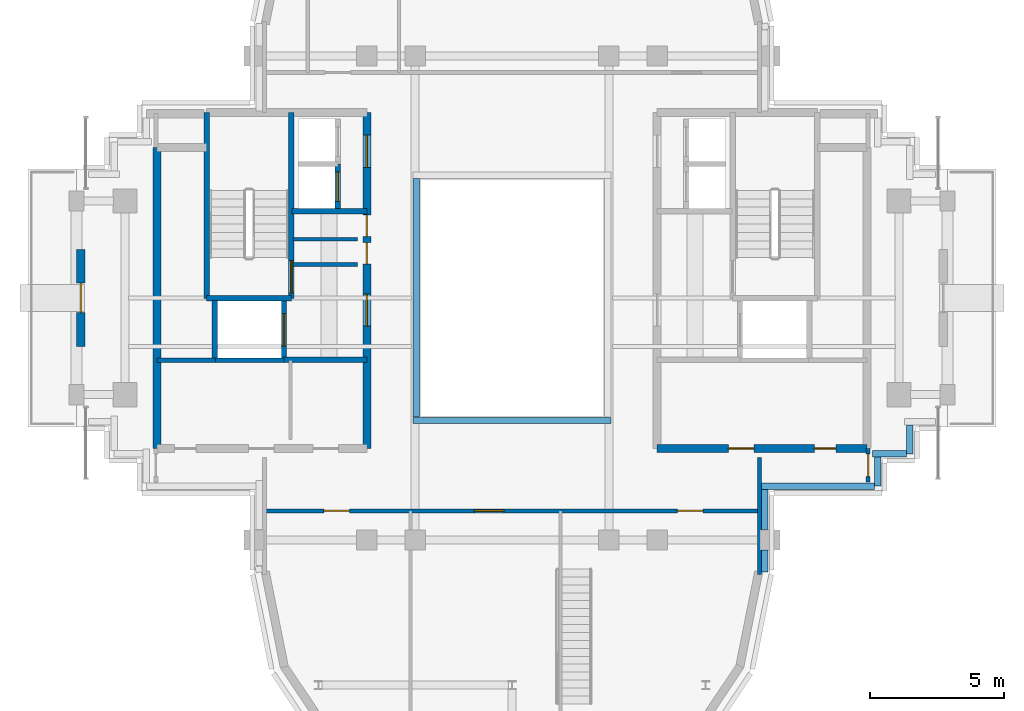
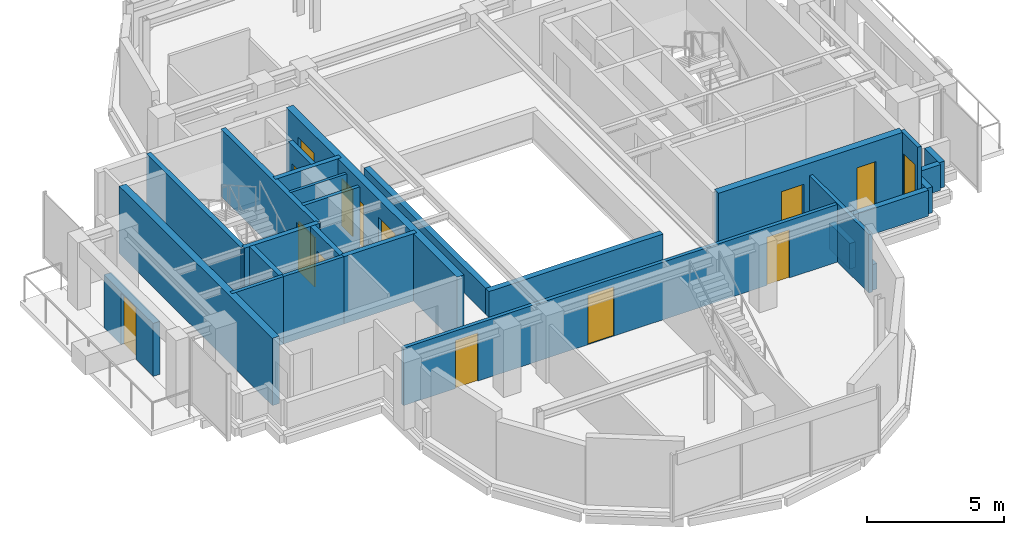
# One storey, part 7 of 12: 27 walls, 14 doors, 14 openings.
"""IFC4 building model written with IfcOpenShell, lengths in metres."""

import ifcopenshell
import ifcopenshell.guid

model = None  # the IFC model being written
_history = None  # IfcOwnerHistory: only IFC2X3 demands one
_inside = {}  # id of a spatial element -> (the spatial element, [elements in it])
_under = {}  # id of a project, library or spatial element -> (it, [spatial elements below it])
_declared = {}  # id of a project -> (the project, [libraries it declares])
_typed = {}  # id of a type object -> (the type object, [elements of that type])
_made_of = {}  # id of a material, layer set ... -> (it, [elements and type objects made of it])


def new_model(schema):
    """Start an empty IFC model of exactly this schema.

    Asked for "IFC4X3", IfcOpenShell would pick the latest addendum, in which some entities
    have other attributes; the version numbers below select the first issue.
    IFC2X3 requires an IfcOwnerHistory on every rooted entity: one is made here for all.
    """
    global model, _history
    if schema == "IFC4X3":
        model = ifcopenshell.file(schema_version=(4, 3, 0, 0))
    else:
        model = ifcopenshell.file(schema=schema)
    _inside.clear()
    _under.clear()
    _declared.clear()
    _typed.clear()
    _made_of.clear()
    _history = None
    if model.schema == "IFC2X3":
        org = make("IfcOrganization", Name="unknown")
        user = make(
            "IfcPersonAndOrganization",
            ThePerson=make("IfcPerson", FamilyName="unknown"),
            TheOrganization=org,
        )
        app = make(
            "IfcApplication",
            ApplicationDeveloper=org,
            Version="unknown",
            ApplicationFullName="unknown",
            ApplicationIdentifier="unknown",
        )
        _history = make(
            "IfcOwnerHistory",
            OwningUser=user,
            OwningApplication=app,
            ChangeAction="ADDED",
            CreationDate=0,
        )
    return model


def make(cls, **values):
    """One entity of the class cls with the attributes given. An attribute that is None is left unset."""
    return model.create_entity(
        cls, **{name: value for name, value in values.items() if value is not None}
    )


def rooted(cls, **values):
    """An entity with a GlobalId (a new one), such as an element, a storey or a relation."""
    return make(cls, GlobalId=ifcopenshell.guid.new(), OwnerHistory=_history, **values)


def si_unit(unit_type, name, prefix=None):
    """IfcSIUnit, for example si_unit("LENGTHUNIT", "METRE", prefix="MILLI")."""
    return make("IfcSIUnit", UnitType=unit_type, Prefix=prefix, Name=name)


def assignment(units):
    """IfcUnitAssignment: the units of a project."""
    return None if units is None else make("IfcUnitAssignment", Units=units)


def point(xyz):
    """IfcCartesianPoint."""
    return None if xyz is None else make("IfcCartesianPoint", Coordinates=xyz)


def direction(xyz):
    """IfcDirection."""
    return None if xyz is None else make("IfcDirection", DirectionRatios=xyz)


def frame(location, z_axis=None, x_axis=None):
    """IfcAxis2Placement3D, a coordinate frame: its origin and axes. An axis left out is left unset."""
    return make(
        "IfcAxis2Placement3D",
        Location=point(location),
        Axis=direction(z_axis),
        RefDirection=direction(x_axis),
    )


def frame_2d(location, x_axis=None):
    """IfcAxis2Placement2D, a coordinate frame in the plane: its origin and x axis."""
    return make(
        "IfcAxis2Placement2D", Location=point(location), RefDirection=direction(x_axis)
    )


def origin():
    """The frame at (0, 0, 0) with its axes left unset."""
    return frame((0.0, 0.0, 0.0))


def place(relative_to, where):
    """IfcLocalPlacement: puts the frame where relative to a parent placement (None: the world)."""
    return make(
        "IfcLocalPlacement", PlacementRelTo=relative_to, RelativePlacement=where
    )


def context(
    kind, dimensions, precision=None, world=None, true_north=None, identifier=None
):
    """IfcGeometricRepresentationContext, for example the 3D "Model" context."""
    return make(
        "IfcGeometricRepresentationContext",
        ContextIdentifier=identifier,
        ContextType=kind,
        CoordinateSpaceDimension=dimensions,
        Precision=precision,
        WorldCoordinateSystem=world,
        TrueNorth=true_north,
    )


def subcontext(parent, identifier, kind, view, scale=None):
    """IfcGeometricRepresentationSubContext, for example "Body" below "Model"."""
    return make(
        "IfcGeometricRepresentationSubContext",
        ContextIdentifier=identifier,
        ContextType=kind,
        ParentContext=parent,
        TargetScale=scale,
        TargetView=view,
    )


def project(units=None, contexts=None):
    """IfcProject with its units and contexts."""
    return rooted(
        "IfcProject",
        Name="project",
        RepresentationContexts=contexts,
        UnitsInContext=assignment(units),
    )


def spatial(cls, under=None, at=None, **own):
    """A site, building, storey or space (cls), placed at a placement, below another one or the project."""
    s = rooted(cls, ObjectPlacement=at, **own)
    if under is not None:
        _under.setdefault(under.id(), (under, []))[1].append(s)
    return s


def profile(cls, at=None, kind="AREA", **sizes):
    """A parametric profile (cls). Its sizes go by their IFC names, for example OverallWidth=200.0."""
    return make(cls, ProfileType=kind, Position=at, **sizes)


def rectangle(**sizes):
    """IfcRectangleProfileDef."""
    return profile("IfcRectangleProfileDef", **sizes)


def extrude(swept, where, along, depth):
    """IfcExtrudedAreaSolid: the profile swept, set in the frame where, extruded along a direction by depth."""
    return make(
        "IfcExtrudedAreaSolid",
        SweptArea=swept,
        Position=where,
        ExtrudedDirection=direction(along),
        Depth=depth,
    )


def shape(context_of_items, identifier, shape_type, items):
    """IfcShapeRepresentation: the items that make up one representation, for example the "Body"."""
    return make(
        "IfcShapeRepresentation",
        ContextOfItems=context_of_items,
        RepresentationIdentifier=identifier,
        RepresentationType=shape_type,
        Items=items,
    )


def source(mapping_origin, context_of_items, identifier, shape_type, items):
    """IfcRepresentationMap: a shape defined once, which mapped items show again and again."""
    return make(
        "IfcRepresentationMap",
        MappingOrigin=mapping_origin,
        MappedRepresentation=shape(context_of_items, identifier, shape_type, items),
    )


def transform(
    local_origin,
    x_axis=None,
    y_axis=None,
    z_axis=None,
    scale=None,
    scale2=None,
    scale3=None,
    uniform=True,
):
    """IfcCartesianTransformationOperator3D, or its non-uniform kind. x_axis, y_axis, z_axis: its Axis1, 2, 3."""
    if uniform:
        return make(
            "IfcCartesianTransformationOperator3D",
            Axis1=direction(x_axis),
            Axis2=direction(y_axis),
            LocalOrigin=point(local_origin),
            Scale=scale,
            Axis3=direction(z_axis),
        )
    return make(
        "IfcCartesianTransformationOperator3DnonUniform",
        Axis1=direction(x_axis),
        Axis2=direction(y_axis),
        LocalOrigin=point(local_origin),
        Scale=scale,
        Axis3=direction(z_axis),
        Scale2=scale2,
        Scale3=scale3,
    )


def mapped(mapping_source, mapping_target):
    """IfcMappedItem: shows the shape of a source again, moved by a transform."""
    return make(
        "IfcMappedItem", MappingSource=mapping_source, MappingTarget=mapping_target
    )


def material(Name=None, Category=None):
    """IfcMaterial."""
    return make("IfcMaterial", Name=Name, Category=Category)


def layer(
    of_material, thickness, ventilated=None, Name=None, Category=None, Priority=None
):
    """IfcMaterialLayer: one layer of a wall or slab, of a material (None: an air gap)."""
    return make(
        "IfcMaterialLayer",
        Material=of_material,
        LayerThickness=thickness,
        IsVentilated=ventilated,
        Name=Name,
        Category=Category,
        Priority=Priority,
    )


def layer_set(layers, Name=None):
    """IfcMaterialLayerSet."""
    return make("IfcMaterialLayerSet", MaterialLayers=layers, LayerSetName=Name)


def made_of(thing, what):
    """Note that an element or type object is made of a material, layer set ...; save() writes the relation."""
    if what is not None:
        _made_of.setdefault(what.id(), (what, []))[1].append(thing)
    return thing


def type_object(cls, material=None, **own):
    """A type object (cls), such as IfcWallType, which elements share."""
    return made_of(rooted(cls, **own), material)


def element(
    cls,
    number,
    at=None,
    inside=None,
    cuts=None,
    type_object=None,
    material=None,
    context=None,
    identifier="Body",
    shape_type=None,
    held_by="IfcProductDefinitionShape",
    body=None,
    shapes=None,
    **own,
):
    """One element of the class cls, such as IfcWall. Its Tag is "e" and its number.

    at: its placement. inside: the storey or other place that contains it. cuts: it is an
    opening in that element (IfcRelVoidsElement). A single representation is given by context,
    identifier, shape_type and body (its items); several are given by shapes. held_by: the class
    of the entity that holds the representations. save() writes the other relations.
    """
    e = rooted(cls, Tag="e%d" % number, ObjectPlacement=at, **own)
    if body is not None:
        shapes = [shape(context, identifier, shape_type, body)]
    if shapes is not None:
        e.Representation = make(held_by, Representations=shapes)
    if inside is not None:
        _inside.setdefault(inside.id(), (inside, []))[1].append(e)
    if cuts is not None:
        rooted(
            "IfcRelVoidsElement", RelatingBuildingElement=cuts, RelatedOpeningElement=e
        )
    if type_object is not None:
        _typed.setdefault(type_object.id(), (type_object, []))[1].append(e)
    return made_of(e, material)


def fill(opening, filler):
    """IfcRelFillsElement: the door or window that sits in an opening."""
    return rooted(
        "IfcRelFillsElement",
        RelatingOpeningElement=opening,
        RelatedBuildingElement=filler,
    )


def aggregate(whole, parts):
    """IfcRelAggregates: a whole, such as a stair, and the parts it consists of."""
    return rooted("IfcRelAggregates", RelatingObject=whole, RelatedObjects=parts)


def save(model, path):
    """Write the relations noted so far, then the file.

    IfcRelAggregates (storeys below a building ...), IfcRelContainedInSpatialStructure (elements
    in a storey), IfcRelDefinesByType, IfcRelAssociatesMaterial and IfcRelDeclares: one each for
    every whole, place, type object, material and project.
    """
    for whole, parts in _under.values():
        aggregate(whole, parts)
    for where, things in _inside.values():
        rooted(
            "IfcRelContainedInSpatialStructure",
            RelatedElements=things,
            RelatingStructure=where,
        )
    for kind, things in _typed.values():
        rooted("IfcRelDefinesByType", RelatedObjects=things, RelatingType=kind)
    for what, things in _made_of.values():
        rooted("IfcRelAssociatesMaterial", RelatedObjects=things, RelatingMaterial=what)
    for by, libraries in _declared.values():
        rooted("IfcRelDeclares", RelatingContext=by, RelatedDefinitions=libraries)
    model.write(path)


model = new_model("IFC4")

# Units and contexts
model_context = context("Model", 3, precision=1e-05, world=origin(), true_north=direction((0.0, 1.0)))
body_context = subcontext(model_context, "Body", "Model", "MODEL_VIEW")
ifc_project = project(units=[si_unit("LENGTHUNIT", "METRE"), si_unit("AREAUNIT", "SQUARE_METRE"), si_unit("VOLUMEUNIT", "CUBIC_METRE"), si_unit("PLANEANGLEUNIT", "RADIAN"), si_unit("MASSUNIT", "GRAM", prefix="KILO")], contexts=[model_context])

# Site, building, storey
site_placement = place(None, origin())
site = spatial("IfcSite", under=ifc_project, at=site_placement, CompositionType="ELEMENT")
building_placement = place(site_placement, origin())
building = spatial("IfcBuilding", under=site, at=building_placement, Name="Keilestroom Media Tower", CompositionType="ELEMENT")
storey_placement = place(building_placement, frame((0.0, 0.0, 252.39990234375)))
storey = spatial("IfcBuildingStorey", under=building, at=storey_placement, Name="L70", CompositionType="ELEMENT", Elevation=252.39990234375)

# Wall, opening, door
ifc_material_1 = material(Name="Precast concrete C40/50", Category="concrete")
ifc_layer_1 = layer(ifc_material_1, 0.300048828125)
ifc_layer_set_1 = layer_set([ifc_layer_1], Name="Precast concrete C40/50")
wall_type_1 = type_object("IfcWallType", Name="Exterior-Masonry-Spandrel-Wall-300", PredefinedType="SOLIDWALL", material=ifc_layer_set_1)
wall_1_placement = place(storey_placement, frame((-16.0400390625, -1.800048828125, 0.0), z_axis=(0.0, 0.0, 1.0), x_axis=(0.0, 1.0, 0.0)))
wall_1 = element("IfcWall", 1, at=wall_1_placement, inside=storey, type_object=wall_type_1, Name="L70 Terrace Threshold Wall CUP70-W", PredefinedType="SOLIDWALL", context=body_context, shape_type="SweptSolid", body=[
    extrude(rectangle(XDim=3.60009765625, YDim=0.300048828125, at=frame_2d((1.800048828125, 0.0))), origin(), (0.0, 0.0, 1.0), 2.360107421875),
])
opening_1_placement = place(wall_1_placement, frame((1.25, 0.0, 0.0)))
opening_1 = element("IfcOpeningElement", 2, at=opening_1_placement, cuts=wall_1, Name="Opening DE-02", PredefinedType="OPENING", context=body_context, shape_type="SweptSolid", body=[
    extrude(rectangle(XDim=1.10009765625, YDim=2.300048828125, at=frame_2d((0.550048828125, 1.14990234375))), frame((0.0, 0.16015625, 0.0), z_axis=(0.0, -1.0, 0.0), x_axis=(1.0, 0.0, 0.0)), (0.0, 0.0, 1.0), 0.320068359375),
])
ifc_material_2 = material(Name="Thermally Broken Aluminium & Laminated Glass", Category="aluminium")
door_type_1 = type_object("IfcDoorType", Name="Exterior-Entrance-And-Terrace-Door-DE-02", OperationType="NOTDEFINED", PredefinedType="DOOR", material=ifc_material_2)
shared_shape_1 = source(origin(), body_context, "Body", "SweptSolid", [
    extrude(rectangle(XDim=1.10009765625, YDim=2.300048828125, at=frame_2d((0.550048828125, 1.14990234375))), frame((0.0, 0.02490234375, 0.0), z_axis=(0.0, -1.0, 0.0), x_axis=(1.0, 0.0, 0.0)), (0.0, 0.0, 1.0), 0.050048828125),
])
door_1_placement = place(opening_1_placement, origin())
door_1 = element("IfcDoor", 3, at=door_1_placement, inside=storey, type_object=door_type_1, Name="L70 Terrace Access Door DE-02 CUP70-W", OperationType="SINGLE_SWING_LEFT", OverallHeight=2.300048828125, OverallWidth=1.10009765625, PredefinedType="DOOR", context=body_context, shape_type="MappedRepresentation", body=[
    mapped(shared_shape_1, transform((0.0, 0.0, 0.0), x_axis=(1.0, 0.0, 0.0), y_axis=(0.0, 1.0, 0.0), z_axis=(0.0, 0.0, 1.0), scale=1.0)),
])
fill(opening_1, door_1)

# Walls
ifc_material_3 = material(Name="Gypsum Plasterboard & Steel Stud", Category="steel")
ifc_layer_2 = layer(ifc_material_3, 0.1201171875)
ifc_layer_set_2 = layer_set([ifc_layer_2], Name="Gypsum Plasterboard & Steel Stud")
wall_type_2 = type_object("IfcWallType", Name="Interior-Partition-Wall-120", PredefinedType="PARTITIONING", material=ifc_layer_set_2)
wall_2_placement = place(storey_placement, frame((-8.139892578125, 2.179931640625, 0.0), z_axis=(0.0, 0.0, 1.0), x_axis=(1.0, 0.0, 0.0)))
element("IfcWall", 4, at=wall_2_placement, inside=storey, type_object=wall_type_2, Name="L70 Interior Wall WP-L70-CNW-N", PredefinedType="PARTITIONING", context=body_context, shape_type="SweptSolid", body=[
    extrude(rectangle(XDim=2.389892578125, YDim=0.1201171875, at=frame_2d((1.19482421875, 0.0))), origin(), (0.0, 0.0, 1.0), 3.010009765625),
])
ifc_layer_3 = layer(ifc_material_3, 0.14990234375)
ifc_layer_set_3 = layer_set([ifc_layer_3], Name="Gypsum Plasterboard & Steel Stud")
wall_type_3 = type_object("IfcWallType", Name="Interior-Partition-Wall-150", PredefinedType="PARTITIONING", material=ifc_layer_set_3)
wall_3_placement = place(storey_placement, frame((-8.139892578125, 1.239990234375, 0.0), z_axis=(0.0, 0.0, 1.0), x_axis=(1.0, 0.0, 0.0)))
element("IfcWall", 5, at=wall_3_placement, inside=storey, type_object=wall_type_3, Name="L70 Interior Wall WP-L70-FFW-TOP", PredefinedType="PARTITIONING", context=body_context, shape_type="SweptSolid", body=[
    extrude(rectangle(XDim=2.389892578125, YDim=0.14990234375, at=frame_2d((1.19482421875, 0.0))), origin(), (0.0, 0.0, 1.0), 3.010009765625),
])
wall_4_placement = place(storey_placement, frame((-13.199951171875, -2.320068359375, 0.0), z_axis=(0.0, 0.0, 1.0), x_axis=(1.0, 0.0, 0.0)))
element("IfcWall", 6, at=wall_4_placement, inside=storey, type_object=wall_type_3, Name="L70 Interior Wall WP-L70-RECLW-N", PredefinedType="PARTITIONING", context=body_context, shape_type="SweptSolid", body=[
    extrude(rectangle(XDim=2.179931640625, YDim=0.14990234375, at=frame_2d((1.08984375, 0.0))), origin(), (0.0, 0.0, 1.0), 3.010009765625),
])
wall_5_placement = place(storey_placement, frame((-11.0400390625, -2.320068359375, 0.0), z_axis=(0.0, 0.0, 1.0), x_axis=(1.0, 0.0, 0.0)))
element("IfcWall", 7, at=wall_5_placement, inside=storey, type_object=wall_type_3, Name="L70 Interior Wall WP-L70-RECMW-N", PredefinedType="PARTITIONING", context=body_context, shape_type="SweptSolid", body=[
    extrude(rectangle(XDim=2.56005859375, YDim=0.14990234375, at=frame_2d((1.280029296875, 0.0))), origin(), (0.0, 0.0, 1.0), 3.010009765625),
])

# Wall, openings, doors
wall_6_placement = place(storey_placement, frame((-9.199951171875, -7.919921875, 0.0), z_axis=(0.0, 0.0, 1.0), x_axis=(1.0, 0.0, 0.0)))
wall_6 = element("IfcWall", 8, at=wall_6_placement, inside=storey, type_object=wall_type_3, Name="L70 Interior Wall WP-L70-SL-BASE", PredefinedType="PARTITIONING", context=body_context, shape_type="SweptSolid", body=[
    extrude(rectangle(XDim=18.39990234375, YDim=0.14990234375, at=frame_2d((9.199951171875, 0.0))), origin(), (0.0, 0.0, 1.0), 2.570068359375),
])
opening_2_placement = place(wall_6_placement, frame((2.199951171875, 0.0, 0.0)))
opening_2 = element("IfcOpeningElement", 9, at=opening_2_placement, cuts=wall_6, Name="Opening DI-03", PredefinedType="OPENING", context=body_context, shape_type="SweptSolid", body=[
    extrude(rectangle(XDim=0.949951171875, YDim=2.14990234375, at=frame_2d((0.47509765625, 1.074951171875))), frame((0.0, 0.0849609375, 0.0), z_axis=(0.0, -1.0, 0.0), x_axis=(1.0, 0.0, 0.0)), (0.0, 0.0, 1.0), 0.169921875),
])
opening_3_placement = place(wall_6_placement, frame((7.800048828125, 0.0, 0.0)))
opening_3 = element("IfcOpeningElement", 10, at=opening_3_placement, cuts=wall_6, Name="Opening DI-04", PredefinedType="OPENING", context=body_context, shape_type="SweptSolid", body=[
    extrude(rectangle(XDim=1.10009765625, YDim=2.199951171875, at=frame_2d((0.550048828125, 1.10009765625))), frame((0.0, 0.0849609375, 0.0), z_axis=(0.0, -1.0, 0.0), x_axis=(1.0, 0.0, 0.0)), (0.0, 0.0, 1.0), 0.169921875),
])
opening_4_placement = place(wall_6_placement, frame((15.35009765625, 0.0, 0.0)))
opening_4 = element("IfcOpeningElement", 11, at=opening_4_placement, cuts=wall_6, Name="Opening DI-03", PredefinedType="OPENING", context=body_context, shape_type="SweptSolid", body=[
    extrude(rectangle(XDim=0.949951171875, YDim=2.14990234375, at=frame_2d((0.47509765625, 1.074951171875))), frame((0.0, 0.0849609375, 0.0), z_axis=(0.0, -1.0, 0.0), x_axis=(1.0, 0.0, 0.0)), (0.0, 0.0, 1.0), 0.169921875),
])
ifc_material_4 = material(Name="Lacquered European Oak Leaf", Category="wood")
door_type_2 = type_object("IfcDoorType", Name="Interior-Room-And-Suite-Door-DI-03", OperationType="NOTDEFINED", PredefinedType="DOOR", material=ifc_material_4)
shared_shape_2 = source(origin(), body_context, "Body", "SweptSolid", [
    extrude(rectangle(XDim=0.949951171875, YDim=2.14990234375, at=frame_2d((0.47509765625, 1.074951171875))), frame((0.0, 0.02490234375, 0.0), z_axis=(0.0, -1.0, 0.0), x_axis=(1.0, 0.0, 0.0)), (0.0, 0.0, 1.0), 0.050048828125),
])
door_2_placement = place(opening_2_placement, origin())
door_2 = element("IfcDoor", 12, at=door_2_placement, inside=storey, type_object=door_type_2, Name="L70 Interior Door DI-L70-DSL-1", OperationType="SINGLE_SWING_LEFT", OverallHeight=2.14990234375, OverallWidth=0.949951171875, PredefinedType="DOOR", context=body_context, shape_type="MappedRepresentation", body=[
    mapped(shared_shape_2, transform((0.0, 0.0, 0.0), x_axis=(1.0, 0.0, 0.0), y_axis=(0.0, 1.0, 0.0), z_axis=(0.0, 0.0, 1.0), scale=1.0)),
])
fill(opening_2, door_2)
door_3_placement = place(opening_4_placement, origin())
door_3 = element("IfcDoor", 13, at=door_3_placement, inside=storey, type_object=door_type_2, Name="L70 Interior Door DI-L70-DSL-3", OperationType="SINGLE_SWING_LEFT", OverallHeight=2.14990234375, OverallWidth=0.949951171875, PredefinedType="DOOR", context=body_context, shape_type="MappedRepresentation", body=[
    mapped(shared_shape_2, transform((0.0, 0.0, 0.0), x_axis=(1.0, 0.0, 0.0), y_axis=(0.0, 1.0, 0.0), z_axis=(0.0, 0.0, 1.0), scale=1.0)),
])
fill(opening_4, door_3)
ifc_material_5 = material(Name="Acoustic Glazed Aluminium Leaf", Category="aluminium")
door_type_3 = type_object("IfcDoorType", Name="Interior-Room-And-Suite-Door-DI-04", OperationType="NOTDEFINED", PredefinedType="DOOR", material=ifc_material_5)
shared_shape_3 = source(origin(), body_context, "Body", "SweptSolid", [
    extrude(rectangle(XDim=1.10009765625, YDim=2.199951171875, at=frame_2d((0.550048828125, 1.10009765625))), frame((0.0, 0.02490234375, 0.0), z_axis=(0.0, -1.0, 0.0), x_axis=(1.0, 0.0, 0.0)), (0.0, 0.0, 1.0), 0.050048828125),
])
door_4_placement = place(opening_3_placement, origin())
door_4 = element("IfcDoor", 14, at=door_4_placement, inside=storey, type_object=door_type_3, Name="L70 Interior Door DI-L70-DSL-2", OperationType="SINGLE_SWING_RIGHT", OverallHeight=2.199951171875, OverallWidth=1.10009765625, PredefinedType="DOOR", context=body_context, shape_type="MappedRepresentation", body=[
    mapped(shared_shape_3, transform((0.0, 0.0, 0.0), x_axis=(1.0, 0.0, 0.0), y_axis=(0.0, 1.0, 0.0), z_axis=(0.0, 0.0, 1.0), scale=1.0)),
])
fill(opening_3, door_4)

# Wall
wall_7_placement = place(storey_placement, frame((9.199951171875, -10.280029296875, 0.0), z_axis=(0.0, 0.0, 1.0), x_axis=(0.0, 1.0, 0.0)))
element("IfcWall", 15, at=wall_7_placement, inside=storey, type_object=wall_type_3, Name="L70 Interior Wall WP-L70-SL-CHKE", PredefinedType="PARTITIONING", context=body_context, shape_type="SweptSolid", body=[
    extrude(rectangle(XDim=4.340087890625, YDim=0.14990234375, at=frame_2d((2.169921875, 0.0))), origin(), (0.0, 0.0, 1.0), 2.610107421875),
])

# Wall, opening, door
wall_8_placement = place(storey_placement, frame((13.25, -6.85009765625, 0.0), z_axis=(0.0, 0.0, 1.0), x_axis=(0.0, 1.0, 0.0)))
wall_8 = element("IfcWall", 16, at=wall_8_placement, inside=storey, type_object=wall_type_3, Name="L70 Interior Wall WP-L70-EA-ENTS", PredefinedType="PARTITIONING", context=body_context, shape_type="SweptSolid", body=[
    extrude(rectangle(XDim=1.25, YDim=0.14990234375, at=frame_2d((0.625, 0.0))), origin(), (0.0, 0.0, 1.0), 3.010009765625),
])
opening_5_placement = place(wall_8_placement, frame((0.199951171875, 0.0, 0.0)))
opening_5 = element("IfcOpeningElement", 17, at=opening_5_placement, cuts=wall_8, Name="Opening DI-05", PredefinedType="OPENING", context=body_context, shape_type="SweptSolid", body=[
    extrude(rectangle(XDim=0.85009765625, YDim=2.10009765625, at=frame_2d((0.425048828125, 1.050048828125))), frame((0.0, 0.0849609375, 0.0), z_axis=(0.0, -1.0, 0.0), x_axis=(1.0, 0.0, 0.0)), (0.0, 0.0, 1.0), 0.169921875),
])
ifc_material_6 = material(Name="Moisture-Resistant Oak Leaf", Category="wood")
door_type_4 = type_object("IfcDoorType", Name="Interior-En-Suite-And-Cupboard-Door-DI-05", OperationType="NOTDEFINED", PredefinedType="DOOR", material=ifc_material_6)
shared_shape_4 = source(origin(), body_context, "Body", "SweptSolid", [
    extrude(rectangle(XDim=0.85009765625, YDim=2.10009765625, at=frame_2d((0.425048828125, 1.050048828125))), frame((0.0, 0.02490234375, 0.0), z_axis=(0.0, -1.0, 0.0), x_axis=(1.0, 0.0, 0.0)), (0.0, 0.0, 1.0), 0.050048828125),
])
door_5_placement = place(opening_5_placement, origin())
door_5 = element("IfcDoor", 18, at=door_5_placement, inside=storey, type_object=door_type_4, Name="L70 Interior Door DI-L70-DEA-CUP", OperationType="SINGLE_SWING_LEFT", OverallHeight=2.10009765625, OverallWidth=0.85009765625, PredefinedType="DOOR", context=body_context, shape_type="MappedRepresentation", body=[
    mapped(shared_shape_4, transform((0.0, 0.0, 0.0), x_axis=(1.0, 0.0, 0.0), y_axis=(0.0, 1.0, 0.0), z_axis=(0.0, 0.0, 1.0), scale=1.0)),
])
fill(opening_5, door_5)

# Wall
ifc_material_7 = material(Name="Concrete C50/60", Category="concrete")
ifc_layer_4 = layer(ifc_material_7, 0.300048828125)
ifc_layer_set_4 = layer_set([ifc_layer_4], Name="Concrete C50/60")
wall_type_4 = type_object("IfcWallType", Name="Reinforced-Concrete-Core-Shear-Wall-300", PredefinedType="SHEAR", material=ifc_layer_set_4)
wall_9_placement = place(storey_placement, frame((-13.199951171875, -5.60009765625, 0.0), z_axis=(0.0, 0.0, 1.0), x_axis=(0.0, 1.0, 0.0)))
element("IfcWall", 19, at=wall_9_placement, inside=storey, type_object=wall_type_4, Name="L70 Core Shear Wall WL-L70-CORE-W-OUT", PredefinedType="SHEAR", context=body_context, shape_type="SweptSolid", body=[
    extrude(rectangle(XDim=11.2001953125, YDim=0.300048828125, at=frame_2d((5.60009765625, 0.0))), origin(), (0.0, 0.0, 1.0), 3.010009765625),
])

# Wall, openings, doors
wall_10_placement = place(storey_placement, frame((-5.39990234375, -5.60009765625, 0.0), z_axis=(0.0, 0.0, 1.0), x_axis=(0.0, 1.0, 0.0)))
wall_10 = element("IfcWall", 20, at=wall_10_placement, inside=storey, type_object=wall_type_4, Name="L70 Core Shear Wall WL-L70-CORE-W-IN", PredefinedType="SHEAR", context=body_context, shape_type="SweptSolid", body=[
    extrude(rectangle(XDim=12.5, YDim=0.300048828125, at=frame_2d((6.25, 0.0))), origin(), (0.0, 0.0, 1.0), 3.010009765625),
])
opening_6_placement = place(wall_10_placement, frame((4.550048828125, 0.0, 0.0)))
opening_6 = element("IfcOpeningElement", 21, at=opening_6_placement, cuts=wall_10, Name="Opening DI-02", PredefinedType="OPENING", context=body_context, shape_type="SweptSolid", body=[
    extrude(rectangle(XDim=1.199951171875, YDim=2.199951171875, at=frame_2d((0.60009765625, 1.10009765625))), frame((0.0, 0.16015625, 0.0), z_axis=(0.0, -1.0, 0.0), x_axis=(1.0, 0.0, 0.0)), (0.0, 0.0, 1.0), 0.320068359375),
])
opening_7_placement = place(wall_10_placement, frame((10.449951171875, 0.0, 0.0)))
opening_7 = element("IfcOpeningElement", 22, at=opening_7_placement, cuts=wall_10, Name="Opening DI-02", PredefinedType="OPENING", context=body_context, shape_type="SweptSolid", body=[
    extrude(rectangle(XDim=1.199951171875, YDim=2.199951171875, at=frame_2d((0.60009765625, 1.10009765625))), frame((0.0, 0.16015625, 0.0), z_axis=(0.0, -1.0, 0.0), x_axis=(1.0, 0.0, 0.0)), (0.0, 0.0, 1.0), 0.320068359375),
])
opening_8_placement = place(wall_10_placement, frame((6.860107421875, 0.0, 0.0)))
opening_8 = element("IfcOpeningElement", 23, at=opening_8_placement, cuts=wall_10, Name="Opening DI-06", PredefinedType="OPENING", context=body_context, shape_type="SweptSolid", body=[
    extrude(rectangle(XDim=0.800048828125, YDim=2.10009765625, at=frame_2d((0.39990234375, 1.050048828125))), frame((0.0, 0.16015625, 0.0), z_axis=(0.0, -1.0, 0.0), x_axis=(1.0, 0.0, 0.0)), (0.0, 0.0, 1.0), 0.320068359375),
])
opening_9_placement = place(wall_10_placement, frame((7.8798828125, 0.0, 0.0)))
opening_9 = element("IfcOpeningElement", 24, at=opening_9_placement, cuts=wall_10, Name="Opening DI-06", PredefinedType="OPENING", context=body_context, shape_type="SweptSolid", body=[
    extrude(rectangle(XDim=0.800048828125, YDim=2.10009765625, at=frame_2d((0.39990234375, 1.050048828125))), frame((0.0, 0.16015625, 0.0), z_axis=(0.0, -1.0, 0.0), x_axis=(1.0, 0.0, 0.0)), (0.0, 0.0, 1.0), 0.320068359375),
])
ifc_material_8 = material(Name="Powder-Coated Steel Fire Leaf", Category="steel")
door_type_5 = type_object("IfcDoorType", Name="Interior-Compartment-Fire-Door-DI-02", OperationType="NOTDEFINED", PredefinedType="DOOR", material=ifc_material_8)
shared_shape_5 = source(origin(), body_context, "Body", "SweptSolid", [
    extrude(rectangle(XDim=1.199951171875, YDim=2.199951171875, at=frame_2d((0.60009765625, 1.10009765625))), frame((0.0, 0.02490234375, 0.0), z_axis=(0.0, -1.0, 0.0), x_axis=(1.0, 0.0, 0.0)), (0.0, 0.0, 1.0), 0.050048828125),
])
door_6_placement = place(opening_6_placement, origin())
door_6 = element("IfcDoor", 25, at=door_6_placement, inside=storey, type_object=door_type_5, Name="L70 W Firefighting Lobby Door", OperationType="SINGLE_SWING_RIGHT", OverallHeight=2.199951171875, OverallWidth=1.199951171875, PredefinedType="DOOR", context=body_context, shape_type="MappedRepresentation", body=[
    mapped(shared_shape_5, transform((0.0, 0.0, 0.0), x_axis=(1.0, 0.0, 0.0), y_axis=(0.0, 1.0, 0.0), z_axis=(0.0, 0.0, 1.0), scale=1.0)),
])
fill(opening_6, door_6)
door_7_placement = place(opening_7_placement, origin())
door_7 = element("IfcDoor", 26, at=door_7_placement, inside=storey, type_object=door_type_5, Name="L70 W High-Rise Lift Lobby Door", OperationType="SINGLE_SWING_LEFT", OverallHeight=2.199951171875, OverallWidth=1.199951171875, PredefinedType="DOOR", context=body_context, shape_type="MappedRepresentation", body=[
    mapped(shared_shape_5, transform((0.0, 0.0, 0.0), x_axis=(1.0, 0.0, 0.0), y_axis=(0.0, 1.0, 0.0), z_axis=(0.0, 0.0, 1.0), scale=1.0)),
])
fill(opening_7, door_7)
ifc_material_9 = material(Name="Powder-Coated Steel Service Leaf", Category="steel")
door_type_6 = type_object("IfcDoorType", Name="Interior-Riser-Access-Door-DI-06", OperationType="NOTDEFINED", PredefinedType="DOOR", material=ifc_material_9)
shared_shape_6 = source(origin(), body_context, "Body", "SweptSolid", [
    extrude(rectangle(XDim=0.800048828125, YDim=2.10009765625, at=frame_2d((0.39990234375, 1.050048828125))), frame((0.0, 0.02490234375, 0.0), z_axis=(0.0, -1.0, 0.0), x_axis=(1.0, 0.0, 0.0)), (0.0, 0.0, 1.0), 0.050048828125),
])
door_8_placement = place(opening_8_placement, origin())
door_8 = element("IfcDoor", 27, at=door_8_placement, inside=storey, type_object=door_type_6, Name="L70 West Core Switchroom Door", OperationType="SINGLE_SWING_LEFT", OverallHeight=2.10009765625, OverallWidth=0.800048828125, PredefinedType="DOOR", context=body_context, shape_type="MappedRepresentation", body=[
    mapped(shared_shape_6, transform((0.0, 0.0, 0.0), x_axis=(1.0, 0.0, 0.0), y_axis=(0.0, 1.0, 0.0), z_axis=(0.0, 0.0, 1.0), scale=1.0)),
])
fill(opening_8, door_8)
door_9_placement = place(opening_9_placement, origin())
door_9 = element("IfcDoor", 28, at=door_9_placement, inside=storey, type_object=door_type_6, Name="L70 West Core Closet Door", OperationType="SINGLE_SWING_LEFT", OverallHeight=2.10009765625, OverallWidth=0.800048828125, PredefinedType="DOOR", context=body_context, shape_type="MappedRepresentation", body=[
    mapped(shared_shape_6, transform((0.0, 0.0, 0.0), x_axis=(1.0, 0.0, 0.0), y_axis=(0.0, 1.0, 0.0), z_axis=(0.0, 0.0, 1.0), scale=1.0)),
])
fill(opening_9, door_9)

wall_11_placement = place(storey_placement, frame((5.39990234375, -5.60009765625, 0.0), z_axis=(0.0, 0.0, 1.0), x_axis=(1.0, 0.0, 0.0)))
wall_11 = element("IfcWall", 29, at=wall_11_placement, inside=storey, type_object=wall_type_4, Name="L70 Core Shear Wall WL-L70-CORE-E-S", PredefinedType="SHEAR", context=body_context, shape_type="SweptSolid", body=[
    extrude(rectangle(XDim=7.800048828125, YDim=0.300048828125, at=frame_2d((3.89990234375, 0.0))), origin(), (0.0, 0.0, 1.0), 3.010009765625),
])
opening_10_placement = place(wall_11_placement, frame((5.85009765625, 0.0, 0.0)))
opening_10 = element("IfcOpeningElement", 30, at=opening_10_placement, cuts=wall_11, Name="Opening DI-06", PredefinedType="OPENING", context=body_context, shape_type="SweptSolid", body=[
    extrude(rectangle(XDim=0.800048828125, YDim=2.10009765625, at=frame_2d((0.39990234375, 1.050048828125))), frame((0.0, 0.16015625, 0.0), z_axis=(0.0, -1.0, 0.0), x_axis=(1.0, 0.0, 0.0)), (0.0, 0.0, 1.0), 0.320068359375),
])
opening_11_placement = place(wall_11_placement, frame((2.64990234375, 0.0, 0.0)))
opening_11 = element("IfcOpeningElement", 31, at=opening_11_placement, cuts=wall_11, Name="Opening DI-03", PredefinedType="OPENING", context=body_context, shape_type="SweptSolid", body=[
    extrude(rectangle(XDim=0.949951171875, YDim=2.14990234375, at=frame_2d((0.47509765625, 1.074951171875))), frame((0.0, 0.16015625, 0.0), z_axis=(0.0, -1.0, 0.0), x_axis=(1.0, 0.0, 0.0)), (0.0, 0.0, 1.0), 0.320068359375),
])
door_10_placement = place(opening_10_placement, origin())
door_10 = element("IfcDoor", 32, at=door_10_placement, inside=storey, type_object=door_type_6, Name="L70 Reclaimed East Core Room Door", OperationType="SINGLE_SWING_RIGHT", OverallHeight=2.10009765625, OverallWidth=0.800048828125, PredefinedType="DOOR", context=body_context, shape_type="MappedRepresentation", body=[
    mapped(shared_shape_6, transform((0.0, 0.0, 0.0), x_axis=(1.0, 0.0, 0.0), y_axis=(0.0, 1.0, 0.0), z_axis=(0.0, 0.0, 1.0), scale=1.0)),
])
fill(opening_10, door_10)
door_11_placement = place(opening_11_placement, origin())
door_11 = element("IfcDoor", 33, at=door_11_placement, inside=storey, type_object=door_type_2, Name="L70 Reclaimed Mid East Room Door", OperationType="SINGLE_SWING_RIGHT", OverallHeight=2.14990234375, OverallWidth=0.949951171875, PredefinedType="DOOR", context=body_context, shape_type="MappedRepresentation", body=[
    mapped(shared_shape_2, transform((0.0, 0.0, 0.0), x_axis=(1.0, 0.0, 0.0), y_axis=(0.0, 1.0, 0.0), z_axis=(0.0, 0.0, 1.0), scale=1.0)),
])
fill(opening_11, door_11)

# Walls
ifc_layer_5 = layer(ifc_material_7, 0.199951171875)
ifc_layer_set_5 = layer_set([ifc_layer_5], Name="Concrete C50/60")
wall_type_5 = type_object("IfcWallType", Name="Reinforced-Concrete-Shaft-Wall-200", PredefinedType="SOLIDWALL", material=ifc_layer_set_5)
wall_12_placement = place(storey_placement, frame((-8.179931640625, 3.219970703125, 0.0), z_axis=(0.0, 0.0, 1.0), x_axis=(1.0, 0.0, 0.0)))
element("IfcWall", 34, at=wall_12_placement, inside=storey, type_object=wall_type_5, Name="L70 Core Shear Wall WL-L70-CORE-W-FFN", PredefinedType="SOLIDWALL", context=body_context, shape_type="SweptSolid", body=[
    extrude(rectangle(XDim=2.780029296875, YDim=0.199951171875, at=frame_2d((1.39013671875, 0.0))), origin(), (0.0, 0.0, 1.0), 3.010009765625),
])
wall_13_placement = place(storey_placement, frame((-8.47998046875, -2.300048828125, 0.0), z_axis=(0.0, 0.0, 1.0), x_axis=(1.0, 0.0, 0.0)))
element("IfcWall", 35, at=wall_13_placement, inside=storey, type_object=wall_type_5, Name="L70 Core Shear Wall WL-L70-CORE-W-FFS", PredefinedType="SOLIDWALL", context=body_context, shape_type="SweptSolid", body=[
    extrude(rectangle(XDim=3.080078125, YDim=0.199951171875, at=frame_2d((1.5400390625, 0.0))), origin(), (0.0, 0.0, 1.0), 3.010009765625),
])

# Wall, opening, door
wall_14_placement = place(storey_placement, frame((-8.2041015625, -0.01611328125, 0.0), z_axis=(0.0, 0.0, 1.0), x_axis=(0.0, 1.0, 0.0)))
wall_14 = element("IfcWall", 36, at=wall_14_placement, inside=storey, type_object=wall_type_5, Name="L70 Core Shear Wall WL-L70-STW-W-NEAR", PredefinedType="SOLIDWALL", context=body_context, shape_type="SweptSolid", body=[
    extrude(rectangle(XDim=6.916015625, YDim=0.199951171875, at=frame_2d((3.4580078125, 0.0))), origin(), (0.0, 0.0, 1.0), 3.010009765625),
])
opening_12_placement = place(wall_14_placement, frame((0.199951171875, 0.0, 0.0)))
opening_12 = element("IfcOpeningElement", 37, at=opening_12_placement, cuts=wall_14, Name="Opening DI-01S", PredefinedType="OPENING", context=body_context, shape_type="SweptSolid", body=[
    extrude(rectangle(XDim=1.199951171875, YDim=2.199951171875, at=frame_2d((0.60009765625, 1.10009765625))), frame((0.0, 0.10986328125, 0.0), z_axis=(0.0, -1.0, 0.0), x_axis=(1.0, 0.0, 0.0)), (0.0, 0.0, 1.0), 0.219970703125),
])
door_type_7 = type_object("IfcDoorType", Name="Interior-Stair-And-Core-Fire-Door-DI-01", OperationType="NOTDEFINED", PredefinedType="DOOR", material=ifc_material_8)
door_12_placement = place(opening_12_placement, origin())
door_12 = element("IfcDoor", 38, at=door_12_placement, inside=storey, type_object=door_type_7, Name="L70 Escape Stair ST-1 Fire Door", OperationType="SINGLE_SWING_LEFT", OverallHeight=2.199951171875, OverallWidth=1.199951171875, PredefinedType="DOOR", context=body_context, shape_type="MappedRepresentation", body=[
    mapped(shared_shape_5, transform((0.0, 0.0, 0.0), x_axis=(1.0, 0.0, 0.0), y_axis=(0.0, 1.0, 0.0), z_axis=(0.0, 0.0, 1.0), scale=1.0)),
])
fill(opening_12, door_12)

# Walls
wall_15_placement = place(storey_placement, frame((-11.35595703125, -0.01611328125, 0.0), z_axis=(0.0, 0.0, 1.0), x_axis=(0.0, 1.0, 0.0)))
element("IfcWall", 39, at=wall_15_placement, inside=storey, type_object=wall_type_5, Name="L70 Core Shear Wall WL-L70-STW-W-FAR", PredefinedType="SOLIDWALL", context=body_context, shape_type="SweptSolid", body=[
    extrude(rectangle(XDim=6.916015625, YDim=0.199951171875, at=frame_2d((3.4580078125, 0.0))), origin(), (0.0, 0.0, 1.0), 3.010009765625),
])
wall_16_placement = place(storey_placement, frame((-11.35595703125, -0.01611328125, 0.0), z_axis=(0.0, 0.0, 1.0), x_axis=(1.0, 0.0, 0.0)))
element("IfcWall", 40, at=wall_16_placement, inside=storey, type_object=wall_type_5, Name="L70 Core Shear Wall WL-L70-STW-W-S", PredefinedType="SOLIDWALL", context=body_context, shape_type="SweptSolid", body=[
    extrude(rectangle(XDim=3.15185546875, YDim=0.199951171875, at=frame_2d((1.575927734375, 0.0))), origin(), (0.0, 0.0, 1.0), 3.010009765625),
])
wall_17_placement = place(storey_placement, frame((-11.050048828125, -2.280029296875, 0.0), z_axis=(0.0, 0.0, 1.0), x_axis=(0.0, 1.0, 0.0)))
element("IfcWall", 41, at=wall_17_placement, inside=storey, type_object=wall_type_5, Name="L70 Core Shear Wall WL-L70-LSH-FFL-1-W", PredefinedType="SOLIDWALL", context=body_context, shape_type="SweptSolid", body=[
    extrude(rectangle(XDim=2.179931640625, YDim=0.199951171875, at=frame_2d((1.08984375, 0.0))), origin(), (0.0, 0.0, 1.0), 3.010009765625),
])

# Wall, opening, door
wall_18_placement = place(storey_placement, frame((-8.47998046875, -2.280029296875, 0.0), z_axis=(0.0, 0.0, 1.0), x_axis=(0.0, 1.0, 0.0)))
wall_18 = element("IfcWall", 42, at=wall_18_placement, inside=storey, type_object=wall_type_5, Name="L70 Core Shear Wall WL-L70-LSH-FFL-1-E", PredefinedType="SOLIDWALL", context=body_context, shape_type="SweptSolid", body=[
    extrude(rectangle(XDim=2.179931640625, YDim=0.199951171875, at=frame_2d((1.08984375, 0.0))), origin(), (0.0, 0.0, 1.0), 3.010009765625),
])
opening_13_placement = place(wall_18_placement, frame((0.489990234375, 0.0, 0.0)))
opening_13 = element("IfcOpeningElement", 43, at=opening_13_placement, cuts=wall_18, Name="Opening LD-02", PredefinedType="OPENING", context=body_context, shape_type="SweptSolid", body=[
    extrude(rectangle(XDim=1.199951171875, YDim=2.199951171875, at=frame_2d((0.60009765625, 1.10009765625))), frame((0.0, 0.10986328125, 0.0), z_axis=(0.0, -1.0, 0.0), x_axis=(1.0, 0.0, 0.0)), (0.0, 0.0, 1.0), 0.219970703125),
])
ifc_material_10 = material(Name="Brushed Stainless Steel Sliding Leaf", Category="steel")
door_type_8 = type_object("IfcDoorType", Name="Lift-Landing-Sliding-Door-LD-02", OperationType="SLIDING_TO_RIGHT", PredefinedType="DOOR", material=ifc_material_10)
door_13_placement = place(opening_13_placement, origin())
door_13 = element("IfcDoor", 44, at=door_13_placement, inside=storey, type_object=door_type_8, Name="L70 Lift FFL-1 Landing Sliding Door", OperationType="SLIDING_TO_RIGHT", OverallHeight=2.199951171875, OverallWidth=1.199951171875, PredefinedType="DOOR", context=body_context, shape_type="MappedRepresentation", body=[
    mapped(shared_shape_5, transform((0.0, 0.0, 0.0), x_axis=(1.0, 0.0, 0.0), y_axis=(0.0, 1.0, 0.0), z_axis=(0.0, 0.0, 1.0), scale=1.0)),
])
fill(opening_13, door_13)

wall_19_placement = place(storey_placement, frame((-6.47998046875, 3.300048828125, 0.0), z_axis=(0.0, 0.0, 1.0), x_axis=(0.0, 1.0, 0.0)))
wall_19 = element("IfcWall", 45, at=wall_19_placement, inside=storey, type_object=wall_type_5, Name="L70 Core Shear Wall WL-L70-LSH-PL-H1-E", PredefinedType="SOLIDWALL", context=body_context, shape_type="SweptSolid", body=[
    extrude(rectangle(XDim=1.679931640625, YDim=0.199951171875, at=frame_2d((0.83984375, 0.0))), origin(), (0.0, 0.0, 1.0), 3.010009765625),
])
opening_14_placement = place(wall_19_placement, frame((0.2900390625, 0.0, 0.0)))
opening_14 = element("IfcOpeningElement", 46, at=opening_14_placement, cuts=wall_19, Name="Opening LD-01", PredefinedType="OPENING", context=body_context, shape_type="SweptSolid", body=[
    extrude(rectangle(XDim=1.10009765625, YDim=2.199951171875, at=frame_2d((0.550048828125, 1.10009765625))), frame((0.0, 0.10986328125, 0.0), z_axis=(0.0, -1.0, 0.0), x_axis=(1.0, 0.0, 0.0)), (0.0, 0.0, 1.0), 0.219970703125),
])
door_type_9 = type_object("IfcDoorType", Name="Lift-Landing-Sliding-Door-LD-01", OperationType="SLIDING_TO_LEFT", PredefinedType="DOOR", material=ifc_material_10)
door_14_placement = place(opening_14_placement, origin())
door_14 = element("IfcDoor", 47, at=door_14_placement, inside=storey, type_object=door_type_9, Name="L70 Lift PL-H1 Landing Sliding Door", OperationType="SLIDING_TO_LEFT", OverallHeight=2.199951171875, OverallWidth=1.10009765625, PredefinedType="DOOR", context=body_context, shape_type="MappedRepresentation", body=[
    mapped(shared_shape_3, transform((0.0, 0.0, 0.0), x_axis=(1.0, 0.0, 0.0), y_axis=(0.0, 1.0, 0.0), z_axis=(0.0, 0.0, 1.0), scale=1.0)),
])
fill(opening_14, door_14)

# Walls
ifc_layer_6 = layer(ifc_material_1, 0.239990234375)
ifc_layer_set_6 = layer_set([ifc_layer_6], Name="Precast concrete C40/50")
wall_type_6 = type_object("IfcWallType", Name="Roof-And-Terrace-Parapet-Wall-240", PredefinedType="PARAPET", material=ifc_layer_set_6)
wall_20_placement = place(storey_placement, frame((14.800048828125, -4.722900390625, 0.0), z_axis=(0.0, 0.0, 1.0), x_axis=(0.0, -1.0, 0.0)))
element("IfcWall", 48, at=wall_20_placement, inside=storey, type_object=wall_type_6, Name="L70 Perimeter Edge Parapet Wall 02", PredefinedType="PARAPET", context=body_context, shape_type="SweptSolid", body=[
    extrude(rectangle(XDim=1.0771484375, YDim=0.239990234375, at=frame_2d((0.53857421875, 0.0))), origin(), (0.0, 0.0, 1.0), 1.150146484375),
])
wall_21_placement = place(storey_placement, frame((14.677001953125, -5.800048828125, 0.0), z_axis=(0.0, 0.0, 1.0), x_axis=(-1.0, 0.0, 0.0)))
element("IfcWall", 49, at=wall_21_placement, inside=storey, type_object=wall_type_6, Name="L70 Perimeter Edge Parapet Wall 03", PredefinedType="PARAPET", context=body_context, shape_type="SweptSolid", body=[
    extrude(rectangle(XDim=1.277099609375, YDim=0.239990234375, at=frame_2d((0.638671875, 0.0))), origin(), (0.0, 0.0, 1.0), 1.150146484375),
])
wall_22_placement = place(storey_placement, frame((13.60009765625, -5.923095703125, 0.0), z_axis=(0.0, 0.0, 1.0), x_axis=(0.0, -1.0, 0.0)))
element("IfcWall", 50, at=wall_22_placement, inside=storey, type_object=wall_type_6, Name="L70 Perimeter Edge Parapet Wall 04", PredefinedType="PARAPET", context=body_context, shape_type="SweptSolid", body=[
    extrude(rectangle(XDim=1.076904296875, YDim=0.239990234375, at=frame_2d((0.53857421875, 0.0))), origin(), (0.0, 0.0, 1.0), 1.150146484375),
])
wall_23_placement = place(storey_placement, frame((13.47705078125, -7.0, 0.0), z_axis=(0.0, 0.0, 1.0), x_axis=(-1.0, 0.0, 0.0)))
element("IfcWall", 51, at=wall_23_placement, inside=storey, type_object=wall_type_6, Name="L70 Perimeter Edge Parapet Wall 05", PredefinedType="PARAPET", context=body_context, shape_type="SweptSolid", body=[
    extrude(rectangle(XDim=4.198974609375, YDim=0.239990234375, at=frame_2d((2.099609375, 0.0))), origin(), (0.0, 0.0, 1.0), 1.150146484375),
])
wall_24_placement = place(storey_placement, frame((9.39990234375, -7.123046875, 0.0), z_axis=(0.0, 0.0, 1.0), x_axis=(0.0, -1.0, 0.0)))
element("IfcWall", 52, at=wall_24_placement, inside=storey, type_object=wall_type_6, Name="L70 Perimeter Edge Parapet Wall 06", PredefinedType="PARAPET", context=body_context, shape_type="SweptSolid", body=[
    extrude(rectangle(XDim=1.4990234375, YDim=0.239990234375, at=frame_2d((0.74951171875, 0.0))), origin(), (0.0, 0.0, 1.0), 1.150146484375),
])
wall_25_placement = place(storey_placement, frame((9.39990234375, -9.3779296875, 0.0), z_axis=(0.0, 0.0, 1.0), x_axis=(0.0, -1.0, 0.0)))
element("IfcWall", 53, at=wall_25_placement, inside=storey, type_object=wall_type_6, Name="L70 Perimeter Edge Parapet Wall 07", PredefinedType="PARAPET", context=body_context, shape_type="SweptSolid", body=[
    extrude(rectangle(XDim=0.824951171875, YDim=0.239990234375, at=frame_2d((0.41259765625, 0.0))), origin(), (0.0, 0.0, 1.0), 1.150146484375),
])
wall_26_placement = place(storey_placement, frame((-3.679931640625, -4.56005859375, 0.0), z_axis=(0.0, 0.0, 1.0), x_axis=(1.0, 0.0, 0.0)))
element("IfcWall", 54, at=wall_26_placement, inside=storey, type_object=wall_type_6, Name="L70 Central Atrium Guard Parapet S", PredefinedType="PARAPET", context=body_context, shape_type="SweptSolid", body=[
    extrude(rectangle(XDim=7.35986328125, YDim=0.239990234375, at=frame_2d((3.679931640625, 0.0))), origin(), (0.0, 0.0, 1.0), 1.150146484375),
])
wall_27_placement = place(storey_placement, frame((-3.56005859375, -4.43505859375, 0.0), z_axis=(0.0, 0.0, 1.0), x_axis=(0.0, 1.0, 0.0)))
element("IfcWall", 55, at=wall_27_placement, inside=storey, type_object=wall_type_6, Name="L70 Central Atrium Guard Parapet W", PredefinedType="PARAPET", context=body_context, shape_type="SweptSolid", body=[
    extrude(rectangle(XDim=8.8701171875, YDim=0.239990234375, at=frame_2d((4.43505859375, 0.0))), origin(), (0.0, 0.0, 1.0), 1.150146484375),
])

save(model, "model.ifc")
